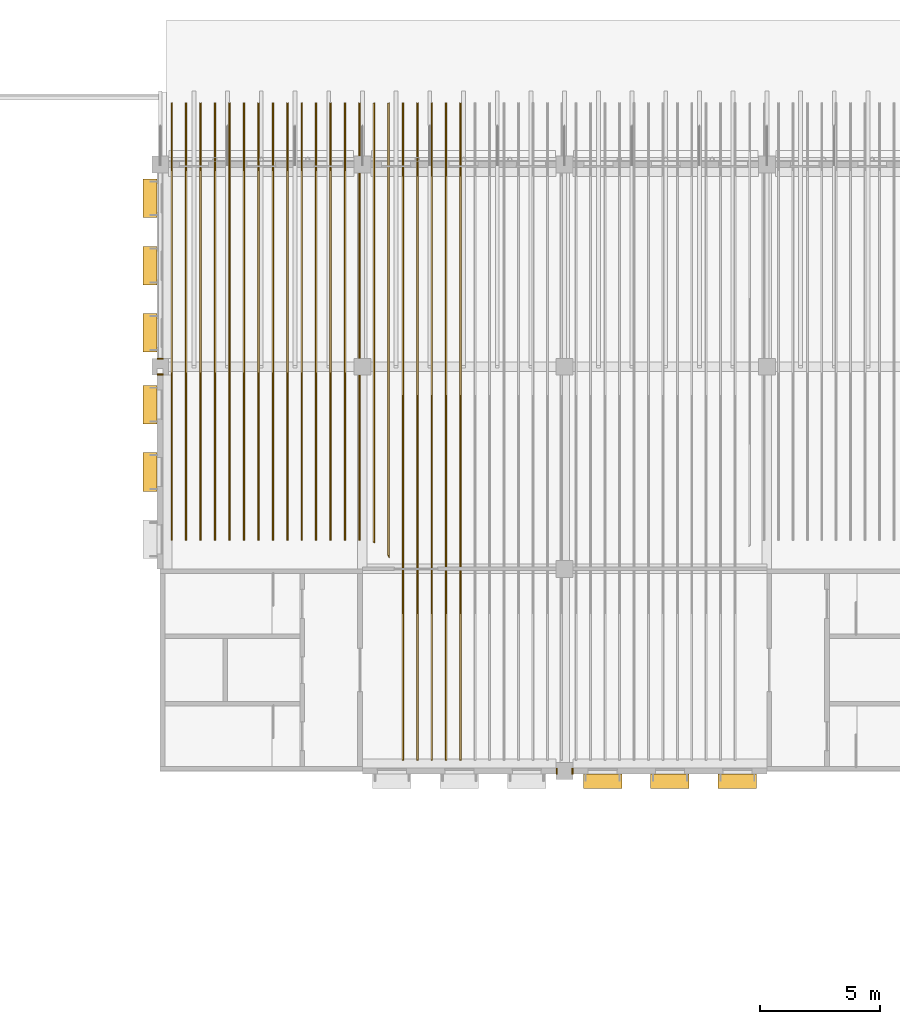
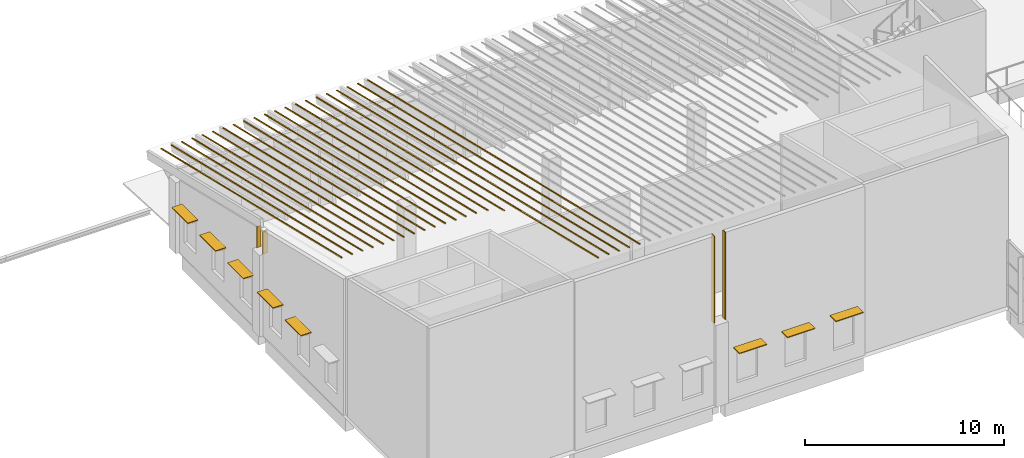
# One storey, part 65 of 82: 25 coverings, 8 shading devices.
"""IFC4 building model written with IfcOpenShell, lengths in metres."""

import ifcopenshell
import ifcopenshell.guid

model = None  # the IFC model being written
_history = None  # IfcOwnerHistory: only IFC2X3 demands one
_inside = {}  # id of a spatial element -> (the spatial element, [elements in it])
_under = {}  # id of a project, library or spatial element -> (it, [spatial elements below it])
_declared = {}  # id of a project -> (the project, [libraries it declares])
_typed = {}  # id of a type object -> (the type object, [elements of that type])
_made_of = {}  # id of a material, layer set ... -> (it, [elements and type objects made of it])


def new_model(schema):
    """Start an empty IFC model of exactly this schema.

    Asked for "IFC4X3", IfcOpenShell would pick the latest addendum, in which some entities
    have other attributes; the version numbers below select the first issue.
    IFC2X3 requires an IfcOwnerHistory on every rooted entity: one is made here for all.
    """
    global model, _history
    if schema == "IFC4X3":
        model = ifcopenshell.file(schema_version=(4, 3, 0, 0))
    else:
        model = ifcopenshell.file(schema=schema)
    _inside.clear()
    _under.clear()
    _declared.clear()
    _typed.clear()
    _made_of.clear()
    _history = None
    if model.schema == "IFC2X3":
        org = make("IfcOrganization", Name="unknown")
        user = make(
            "IfcPersonAndOrganization",
            ThePerson=make("IfcPerson", FamilyName="unknown"),
            TheOrganization=org,
        )
        app = make(
            "IfcApplication",
            ApplicationDeveloper=org,
            Version="unknown",
            ApplicationFullName="unknown",
            ApplicationIdentifier="unknown",
        )
        _history = make(
            "IfcOwnerHistory",
            OwningUser=user,
            OwningApplication=app,
            ChangeAction="ADDED",
            CreationDate=0,
        )
    return model


def make(cls, **values):
    """One entity of the class cls with the attributes given. An attribute that is None is left unset."""
    return model.create_entity(
        cls, **{name: value for name, value in values.items() if value is not None}
    )


def rooted(cls, **values):
    """An entity with a GlobalId (a new one), such as an element, a storey or a relation."""
    return make(cls, GlobalId=ifcopenshell.guid.new(), OwnerHistory=_history, **values)


def si_unit(unit_type, name, prefix=None):
    """IfcSIUnit, for example si_unit("LENGTHUNIT", "METRE", prefix="MILLI")."""
    return make("IfcSIUnit", UnitType=unit_type, Prefix=prefix, Name=name)


def assignment(units):
    """IfcUnitAssignment: the units of a project."""
    return None if units is None else make("IfcUnitAssignment", Units=units)


def point(xyz):
    """IfcCartesianPoint."""
    return None if xyz is None else make("IfcCartesianPoint", Coordinates=xyz)


def direction(xyz):
    """IfcDirection."""
    return None if xyz is None else make("IfcDirection", DirectionRatios=xyz)


def frame(location, z_axis=None, x_axis=None):
    """IfcAxis2Placement3D, a coordinate frame: its origin and axes. An axis left out is left unset."""
    return make(
        "IfcAxis2Placement3D",
        Location=point(location),
        Axis=direction(z_axis),
        RefDirection=direction(x_axis),
    )


def frame_2d(location, x_axis=None):
    """IfcAxis2Placement2D, a coordinate frame in the plane: its origin and x axis."""
    return make(
        "IfcAxis2Placement2D", Location=point(location), RefDirection=direction(x_axis)
    )


def origin():
    """The frame at (0, 0, 0) with its axes left unset."""
    return frame((0.0, 0.0, 0.0))


def origin_2d():
    """The frame at (0, 0) in the plane with its x axis left unset."""
    return frame_2d((0.0, 0.0))


def place(relative_to, where):
    """IfcLocalPlacement: puts the frame where relative to a parent placement (None: the world)."""
    return make(
        "IfcLocalPlacement", PlacementRelTo=relative_to, RelativePlacement=where
    )


def context(
    kind, dimensions, precision=None, world=None, true_north=None, identifier=None
):
    """IfcGeometricRepresentationContext, for example the 3D "Model" context."""
    return make(
        "IfcGeometricRepresentationContext",
        ContextIdentifier=identifier,
        ContextType=kind,
        CoordinateSpaceDimension=dimensions,
        Precision=precision,
        WorldCoordinateSystem=world,
        TrueNorth=true_north,
    )


def subcontext(parent, identifier, kind, view, scale=None):
    """IfcGeometricRepresentationSubContext, for example "Body" below "Model"."""
    return make(
        "IfcGeometricRepresentationSubContext",
        ContextIdentifier=identifier,
        ContextType=kind,
        ParentContext=parent,
        TargetScale=scale,
        TargetView=view,
    )


def project(units=None, contexts=None):
    """IfcProject with its units and contexts."""
    return rooted(
        "IfcProject",
        Name="project",
        RepresentationContexts=contexts,
        UnitsInContext=assignment(units),
    )


def spatial(cls, under=None, at=None, **own):
    """A site, building, storey or space (cls), placed at a placement, below another one or the project."""
    s = rooted(cls, ObjectPlacement=at, **own)
    if under is not None:
        _under.setdefault(under.id(), (under, []))[1].append(s)
    return s


def polyline(points):
    """IfcPolyline through the points."""
    return make("IfcPolyline", Points=[point(p) for p in points])


def profile(cls, at=None, kind="AREA", **sizes):
    """A parametric profile (cls). Its sizes go by their IFC names, for example OverallWidth=200.0."""
    return make(cls, ProfileType=kind, Position=at, **sizes)


def rectangle(**sizes):
    """IfcRectangleProfileDef."""
    return profile("IfcRectangleProfileDef", **sizes)


def outline(outer, holes=None, kind="AREA"):
    """IfcArbitraryClosedProfileDef: a profile drawn as a closed curve; with holes, ...WithVoids."""
    if holes is None:
        return make("IfcArbitraryClosedProfileDef", ProfileType=kind, OuterCurve=outer)
    return make(
        "IfcArbitraryProfileDefWithVoids",
        ProfileType=kind,
        OuterCurve=outer,
        InnerCurves=holes,
    )


def extrude(swept, where, along, depth):
    """IfcExtrudedAreaSolid: the profile swept, set in the frame where, extruded along a direction by depth."""
    return make(
        "IfcExtrudedAreaSolid",
        SweptArea=swept,
        Position=where,
        ExtrudedDirection=direction(along),
        Depth=depth,
    )


def shape(context_of_items, identifier, shape_type, items):
    """IfcShapeRepresentation: the items that make up one representation, for example the "Body"."""
    return make(
        "IfcShapeRepresentation",
        ContextOfItems=context_of_items,
        RepresentationIdentifier=identifier,
        RepresentationType=shape_type,
        Items=items,
    )


def material(Name=None, Category=None):
    """IfcMaterial."""
    return make("IfcMaterial", Name=Name, Category=Category)


def layer(
    of_material, thickness, ventilated=None, Name=None, Category=None, Priority=None
):
    """IfcMaterialLayer: one layer of a wall or slab, of a material (None: an air gap)."""
    return make(
        "IfcMaterialLayer",
        Material=of_material,
        LayerThickness=thickness,
        IsVentilated=ventilated,
        Name=Name,
        Category=Category,
        Priority=Priority,
    )


def layer_set(layers, Name=None):
    """IfcMaterialLayerSet."""
    return make("IfcMaterialLayerSet", MaterialLayers=layers, LayerSetName=Name)


def material_profile(
    of_material, cross_section, Name=None, Category=None, Priority=None
):
    """IfcMaterialProfile: a cross section and its material."""
    return make(
        "IfcMaterialProfile",
        Name=Name,
        Material=of_material,
        Profile=cross_section,
        Priority=Priority,
        Category=Category,
    )


def profile_set(profiles, Name=None, composite=None):
    """IfcMaterialProfileSet."""
    return make(
        "IfcMaterialProfileSet",
        Name=Name,
        MaterialProfiles=profiles,
        CompositeProfile=composite,
    )


def made_of(thing, what):
    """Note that an element or type object is made of a material, layer set ...; save() writes the relation."""
    if what is not None:
        _made_of.setdefault(what.id(), (what, []))[1].append(thing)
    return thing


def type_object(cls, material=None, **own):
    """A type object (cls), such as IfcWallType, which elements share."""
    return made_of(rooted(cls, **own), material)


def element(
    cls,
    number,
    at=None,
    inside=None,
    cuts=None,
    type_object=None,
    material=None,
    context=None,
    identifier="Body",
    shape_type=None,
    held_by="IfcProductDefinitionShape",
    body=None,
    shapes=None,
    **own,
):
    """One element of the class cls, such as IfcWall. Its Tag is "e" and its number.

    at: its placement. inside: the storey or other place that contains it. cuts: it is an
    opening in that element (IfcRelVoidsElement). A single representation is given by context,
    identifier, shape_type and body (its items); several are given by shapes. held_by: the class
    of the entity that holds the representations. save() writes the other relations.
    """
    e = rooted(cls, Tag="e%d" % number, ObjectPlacement=at, **own)
    if body is not None:
        shapes = [shape(context, identifier, shape_type, body)]
    if shapes is not None:
        e.Representation = make(held_by, Representations=shapes)
    if inside is not None:
        _inside.setdefault(inside.id(), (inside, []))[1].append(e)
    if cuts is not None:
        rooted(
            "IfcRelVoidsElement", RelatingBuildingElement=cuts, RelatedOpeningElement=e
        )
    if type_object is not None:
        _typed.setdefault(type_object.id(), (type_object, []))[1].append(e)
    return made_of(e, material)


def aggregate(whole, parts):
    """IfcRelAggregates: a whole, such as a stair, and the parts it consists of."""
    return rooted("IfcRelAggregates", RelatingObject=whole, RelatedObjects=parts)


def save(model, path):
    """Write the relations noted so far, then the file.

    IfcRelAggregates (storeys below a building ...), IfcRelContainedInSpatialStructure (elements
    in a storey), IfcRelDefinesByType, IfcRelAssociatesMaterial and IfcRelDeclares: one each for
    every whole, place, type object, material and project.
    """
    for whole, parts in _under.values():
        aggregate(whole, parts)
    for where, things in _inside.values():
        rooted(
            "IfcRelContainedInSpatialStructure",
            RelatedElements=things,
            RelatingStructure=where,
        )
    for kind, things in _typed.values():
        rooted("IfcRelDefinesByType", RelatedObjects=things, RelatingType=kind)
    for what, things in _made_of.values():
        rooted("IfcRelAssociatesMaterial", RelatedObjects=things, RelatingMaterial=what)
    for by, libraries in _declared.values():
        rooted("IfcRelDeclares", RelatingContext=by, RelatedDefinitions=libraries)
    model.write(path)


model = new_model("IFC4")

# Units and contexts
model_context = context("Model", 3, precision=1e-05, world=origin(), true_north=direction((0.0, 1.0)))
body_context = subcontext(model_context, "Body", "Model", "MODEL_VIEW")
ifc_project = project(units=[si_unit("LENGTHUNIT", "METRE"), si_unit("AREAUNIT", "SQUARE_METRE"), si_unit("VOLUMEUNIT", "CUBIC_METRE"), si_unit("PLANEANGLEUNIT", "RADIAN"), si_unit("MASSUNIT", "GRAM", prefix="KILO")], contexts=[model_context])

# Site, building, storey
site_placement = place(None, origin())
site = spatial("IfcSite", under=ifc_project, at=site_placement, CompositionType="ELEMENT")
building_placement = place(site_placement, origin())
building = spatial("IfcBuilding", under=site, at=building_placement, Name="Almond Square Museum", CompositionType="ELEMENT")
storey_placement = place(building_placement, frame((0.0, 0.0, 20.0)))
storey = spatial("IfcBuildingStorey", under=building, at=storey_placement, Name="L03", CompositionType="ELEMENT", Elevation=20.0)

# Coverings
ifc_material_1 = material(Name="Zinc standing seam")
ifc_layer_1 = layer(ifc_material_1, 0.0400390625)
ifc_layer_set_1 = layer_set([ifc_layer_1], Name="Zinc standing seam")
covering_type_1 = type_object("IfcCoveringType", Name="Roof standing seam rib 60 x 40", PredefinedType="CLADDING", material=ifc_layer_set_1)
for number, where, z_axis, x_axis, name in (
    (1, (40.110107421875, 93.60009765625, 8.71435546875), (0.0, 0.231627013906, 0.972804670234), (0.0, 0.972804670234, -0.231627013906), "Roof standing seam rib"),
    (2, (40.7099609375, 93.60009765625, 8.71435546875), (0.0, 0.231627013906, 0.972804670234), (0.0, 0.972804670234, -0.231627013906), "Roof standing seam rib"),
    (3, (41.31005859375, 93.60009765625, 8.71435546875), (0.0, 0.231627013906, 0.972804670234), (0.0, 0.972804670234, -0.231627013906), "Roof standing seam rib"),
):
    element("IfcCovering", number, at=place(storey_placement, frame(where, z_axis=z_axis, x_axis=x_axis)), inside=storey, type_object=covering_type_1, Name=name, PredefinedType="CLADDING", context=body_context, shape_type="SweptSolid", body=[
        extrude(outline(polyline([(0.0, 0.0), (18.657293595625642, 0.0), (18.657293595625642, 0.06005859375), (0.0, 0.06005859375), (0.0, 0.0)])), origin(), (0.0, 0.0, 1.0), 0.0400390625),
    ])
covering_1_placement = place(storey_placement, frame((41.909912109375, 93.60009765625, 8.71435546875), z_axis=(0.0, 0.231627013906, 0.972804670234), x_axis=(0.0, 0.972804670234, -0.231627013906)))
element("IfcCovering", 4, at=covering_1_placement, inside=storey, type_object=covering_type_1, Name="Roof standing seam rib", PredefinedType="CLADDING", context=body_context, shape_type="SweptSolid", body=[
    extrude(outline(polyline([(0.0, 0.0), (18.657293595625642, 0.0), (18.657293595625642, 0.059814453125), (0.0, 0.059814453125), (0.0, 0.0)])), origin(), (0.0, 0.0, 1.0), 0.0400390625),
])
for number, where, z_axis, x_axis, name in (
    (5, (42.510009765625, 93.60009765625, 8.71435546875), (0.0, 0.231627013906, 0.972804670234), (0.0, 0.972804670234, -0.231627013906), "Roof standing seam rib"),
    (6, (43.110107421875, 93.60009765625, 8.71435546875), (0.0, 0.231627013906, 0.972804670234), (0.0, 0.972804670234, -0.231627013906), "Roof standing seam rib"),
    (7, (43.7099609375, 93.60009765625, 8.71435546875), (0.0, 0.231627013906, 0.972804670234), (0.0, 0.972804670234, -0.231627013906), "Roof standing seam rib"),
    (8, (44.31005859375, 93.60009765625, 8.71435546875), (0.0, 0.231627013906, 0.972804670234), (0.0, 0.972804670234, -0.231627013906), "Roof standing seam rib"),
):
    element("IfcCovering", number, at=place(storey_placement, frame(where, z_axis=z_axis, x_axis=x_axis)), inside=storey, type_object=covering_type_1, Name=name, PredefinedType="CLADDING", context=body_context, shape_type="SweptSolid", body=[
        extrude(outline(polyline([(0.0, 0.0), (18.657293595625642, 0.0), (18.657293595625642, 0.06005859375), (0.0, 0.06005859375), (0.0, 0.0)])), origin(), (0.0, 0.0, 1.0), 0.0400390625),
    ])
covering_2_placement = place(storey_placement, frame((44.909912109375, 93.60009765625, 8.71435546875), z_axis=(0.0, 0.231627013906, 0.972804670234), x_axis=(0.0, 0.972804670234, -0.231627013906)))
element("IfcCovering", 9, at=covering_2_placement, inside=storey, type_object=covering_type_1, Name="Roof standing seam rib", PredefinedType="CLADDING", context=body_context, shape_type="SweptSolid", body=[
    extrude(outline(polyline([(0.0, 0.0), (18.657293595625642, 0.0), (18.657293595625642, 0.059814453125), (0.0, 0.059814453125), (0.0, 0.0)])), origin(), (0.0, 0.0, 1.0), 0.0400390625),
])
for number, where, z_axis, x_axis, name in (
    (10, (45.510009765625, 93.60009765625, 8.71435546875), (0.0, 0.231627013906, 0.972804670234), (0.0, 0.972804670234, -0.231627013906), "Roof standing seam rib"),
    (11, (46.110107421875, 93.60009765625, 8.71435546875), (0.0, 0.231627013906, 0.972804670234), (0.0, 0.972804670234, -0.231627013906), "Roof standing seam rib"),
    (12, (46.7099609375, 93.60009765625, 8.71435546875), (0.0, 0.231627013906, 0.972804670234), (0.0, 0.972804670234, -0.231627013906), "Roof standing seam rib"),
    (13, (47.31005859375, 93.60009765625, 8.71435546875), (0.0, 0.231627013906, 0.972804670234), (0.0, 0.972804670234, -0.231627013906), "Roof standing seam rib"),
):
    element("IfcCovering", number, at=place(storey_placement, frame(where, z_axis=z_axis, x_axis=x_axis)), inside=storey, type_object=covering_type_1, Name=name, PredefinedType="CLADDING", context=body_context, shape_type="SweptSolid", body=[
        extrude(outline(polyline([(0.0, 0.0), (18.657293595625642, 0.0), (18.657293595625642, 0.06005859375), (0.0, 0.06005859375), (0.0, 0.0)])), origin(), (0.0, 0.0, 1.0), 0.0400390625),
    ])
covering_3_placement = place(storey_placement, frame((47.909912109375, 93.60009765625, 8.71435546875), z_axis=(0.0, 0.231627013906, 0.972804670234), x_axis=(0.0, 0.972804670234, -0.231627013906)))
element("IfcCovering", 14, at=covering_3_placement, inside=storey, type_object=covering_type_1, Name="Roof standing seam rib", PredefinedType="CLADDING", context=body_context, shape_type="SweptSolid", body=[
    extrude(outline(polyline([(0.0, 0.0), (18.657293595625642, 0.0), (18.657293595625642, 0.059814453125), (0.0, 0.059814453125), (0.0, 0.0)])), origin(), (0.0, 0.0, 1.0), 0.0400390625),
])
covering_4_placement = place(storey_placement, frame((48.449951171875, 111.75, 4.392822265625), z_axis=(-0.000659858995, 0.231617251661, 0.972806770803), x_axis=(-1.395e-09, -0.97280698259, 0.231617302084)))
element("IfcCovering", 15, at=covering_4_placement, inside=storey, type_object=covering_type_1, Name="Roof standing seam rib", PredefinedType="CLADDING", context=body_context, shape_type="SweptSolid", body=[
    extrude(outline(polyline([(0.0, 0.0), (18.747838221500583, 4.336808689942018e-19), (18.775965186555073, 0.06005863301476198), (-8.377248605147961e-11, 0.0600585806748255), (0.0, 0.0)])), origin(), (0.0, 0.0, 1.0), 0.0400390625),
])
covering_5_placement = place(storey_placement, frame((49.110107421875, 92.85546875, 8.8916015625), z_axis=(-9.0124181e-05, 0.231624220427, 0.972805331189), x_axis=(-2.5e-11, 0.97280533514, -0.231624221367)))
element("IfcCovering", 16, at=covering_5_placement, inside=storey, type_object=covering_type_1, Name="Roof standing seam rib", PredefinedType="CLADDING", context=body_context, shape_type="SweptSolid", body=[
    extrude(outline(polyline([(0.0, 0.0), (19.422727056703142, 5.421010862427522e-20), (19.42272705670465, 0.06005859350609101), (0.1274930764263961, 0.06005859447852492), (0.0, 0.0)])), origin(), (0.0, 0.0, 1.0), 0.0400390625),
])
for number, where, z_axis, x_axis, name in (
    (17, (49.7099609375, 111.75, 4.392822265625), (0.0, 0.231620135261, 0.972806308029), (-1.0, 0.0, 0.0), "Roof standing seam rib"),
    (18, (50.31005859375, 111.75, 4.392822265625), (0.0, 0.231620135261, 0.972806308029), (-1.0, 0.0, 0.0), "Roof standing seam rib"),
):
    element("IfcCovering", number, at=place(storey_placement, frame(where, z_axis=z_axis, x_axis=x_axis)), inside=storey, type_object=covering_type_1, Name=name, PredefinedType="CLADDING", context=body_context, shape_type="SweptSolid", body=[
        extrude(outline(polyline([(0.0, 0.0), (0.06005859375, 0.0), (0.06005859375, 28.063190588705506), (0.0, 28.063190588705506), (0.0, 0.0)])), origin(), (0.0, 0.0, 1.0), 0.0400390625),
    ])
covering_6_placement = place(storey_placement, frame((50.909912109375, 111.75, 4.392822265625), z_axis=(0.0, 0.231620135261, 0.972806308029), x_axis=(-1.0, 0.0, 0.0)))
element("IfcCovering", 19, at=covering_6_placement, inside=storey, type_object=covering_type_1, Name="Roof standing seam rib", PredefinedType="CLADDING", context=body_context, shape_type="SweptSolid", body=[
    extrude(outline(polyline([(0.0, 0.0), (0.059814453125, 0.0), (0.059814453125, 28.063190588705503), (0.0, 28.063190588705503), (0.0, 0.0)])), origin(), (0.0, 0.0, 1.0), 0.0400390625),
])
for number, where, z_axis, x_axis, name in (
    (20, (51.510009765625, 111.75, 4.392822265625), (0.0, 0.231620135261, 0.972806308029), (-1.0, 0.0, 0.0), "Roof standing seam rib"),
    (21, (52.110107421875, 111.75, 4.392822265625), (0.0, 0.231620135261, 0.972806308029), (-1.0, 0.0, 0.0), "Roof standing seam rib"),
):
    element("IfcCovering", number, at=place(storey_placement, frame(where, z_axis=z_axis, x_axis=x_axis)), inside=storey, type_object=covering_type_1, Name=name, PredefinedType="CLADDING", context=body_context, shape_type="SweptSolid", body=[
        extrude(outline(polyline([(0.0, 0.0), (0.06005859375, 0.0), (0.06005859375, 28.063190588705506), (0.0, 28.063190588705506), (0.0, 0.0)])), origin(), (0.0, 0.0, 1.0), 0.0400390625),
    ])

# Shading devices
ifc_material_2 = material(Name="Anodised aluminium", Category="aluminium")
ifc_material_profile = material_profile(ifc_material_2, rectangle(XDim=0.60009765625, YDim=0.050048828125, at=origin_2d()))
ifc_profile_set = profile_set([ifc_material_profile], Name="Anodised aluminium")
shading_device_type = type_object("IfcShadingDeviceType", Name="Sun-shade blade 600 x 50", PredefinedType="USERDEFINED", material=ifc_profile_set)
for number, where, z_axis, x_axis, name in (
    (22, (39.177001953125, 101.39990234375, 3.1201171875), (0.0, 1.0, 0.0), (-1.0, 0.0, 0.0), "Sun-shade blade"),
    (23, (39.177001953125, 104.199951171875, 3.1201171875), (0.0, 1.0, 0.0), (-1.0, 0.0, 0.0), "Sun-shade blade"),
    (24, (39.177001953125, 107.0, 3.1201171875), (0.0, 1.0, 0.0), (-1.0, 0.0, 0.0), "Sun-shade blade"),
    (25, (39.177001953125, 95.625, 3.1201171875), (0.0, 1.0, 0.0), (-1.0, 0.0, 0.0), "Sun-shade blade"),
):
    element("IfcShadingDevice", number, at=place(storey_placement, frame(where, z_axis=z_axis, x_axis=x_axis)), inside=storey, type_object=shading_device_type, Name=name, ObjectType="LOUVRE", PredefinedType="USERDEFINED", context=body_context, shape_type="SweptSolid", body=[
        extrude(rectangle(XDim=0.60009765625, YDim=0.050048828125, at=origin_2d()), origin(), (0.0, 0.0, 1.0), 1.60009765625),
    ])
for number, where, z_axis, x_axis, name in (
    (26, (39.177001953125, 98.425048828125, 3.1201171875), (0.0, 1.0, 0.0), (-1.0, 0.0, 0.0), "Sun-shade blade"),
    (27, (57.175048828125, 83.576904296875, 3.1201171875), (1.0, 0.0, 0.0), (0.0, 1.0, 0.0), "Sun-shade blade"),
    (28, (59.97509765625, 83.576904296875, 3.1201171875), (1.0, 0.0, 0.0), (0.0, 1.0, 0.0), "Sun-shade blade"),
):
    element("IfcShadingDevice", number, at=place(storey_placement, frame(where, z_axis=z_axis, x_axis=x_axis)), inside=storey, type_object=shading_device_type, Name=name, ObjectType="LOUVRE", PredefinedType="USERDEFINED", context=body_context, shape_type="SweptSolid", body=[
        extrude(rectangle(XDim=0.60009765625, YDim=0.050048828125, at=origin_2d()), origin(), (0.0, 0.0, 1.0), 1.599853515625),
    ])
shading_device_placement = place(storey_placement, frame((62.77490234375, 83.576904296875, 3.1201171875), z_axis=(1.0, 0.0, 0.0), x_axis=(0.0, 1.0, 0.0)))
element("IfcShadingDevice", 29, at=shading_device_placement, inside=storey, type_object=shading_device_type, Name="Sun-shade blade", ObjectType="LOUVRE", PredefinedType="USERDEFINED", context=body_context, shape_type="SweptSolid", body=[
    extrude(rectangle(XDim=0.60009765625, YDim=0.050048828125, at=origin_2d()), origin(), (0.0, 0.0, 1.0), 1.60009765625),
])

# Coverings
ifc_material_3 = material(Name="Cladding panel to match the wall")
ifc_layer_2 = layer(ifc_material_3, 0.050048828125)
ifc_layer_set_2 = layer_set([ifc_layer_2], Name="Cladding panel to match the wall")
covering_type_2 = type_object("IfcCoveringType", Name="Wall end closure panel", PredefinedType="CLADDING", material=ifc_layer_set_2)
covering_7_placement = place(storey_placement, frame((39.60009765625, 101.125, 5.0), z_axis=(0.0, 0.0, 1.0), x_axis=(1.0, 0.0, 0.0)))
element("IfcCovering", 30, at=covering_7_placement, inside=storey, type_object=covering_type_2, Name="Wall end closure panel", PredefinedType="CLADDING", context=body_context, shape_type="SweptSolid", body=[
    extrude(rectangle(XDim=0.25, YDim=0.050048828125, at=origin_2d()), origin(), (0.0, 0.0, 1.0), 1.26611328125),
])
covering_8_placement = place(storey_placement, frame((39.60009765625, 100.47509765625, 5.0), z_axis=(0.0, 0.0, 1.0), x_axis=(1.0, 0.0, 0.0)))
element("IfcCovering", 31, at=covering_8_placement, inside=storey, type_object=covering_type_2, Name="Wall end closure panel", PredefinedType="CLADDING", context=body_context, shape_type="SweptSolid", body=[
    extrude(rectangle(XDim=0.25, YDim=0.050048828125, at=origin_2d()), origin(), (0.0, 0.0, 1.0), 1.35009765625),
])
for number, where, z_axis, x_axis, name in (
    (32, (56.074951171875, 84.0, 5.0), (0.0, 0.0, 1.0), (1.0, 0.0, 0.0), "Wall end closure panel"),
    (33, (56.72509765625, 84.0, 5.0), (0.0, 0.0, 1.0), (1.0, 0.0, 0.0), "Wall end closure panel"),
):
    element("IfcCovering", number, at=place(storey_placement, frame(where, z_axis=z_axis, x_axis=x_axis)), inside=storey, type_object=covering_type_2, Name=name, PredefinedType="CLADDING", context=body_context, shape_type="SweptSolid", body=[
        extrude(rectangle(XDim=0.050048828125, YDim=0.25, at=origin_2d()), origin(), (0.0, 0.0, 1.0), 5.349365234375),
    ])

save(model, "model.ifc")
